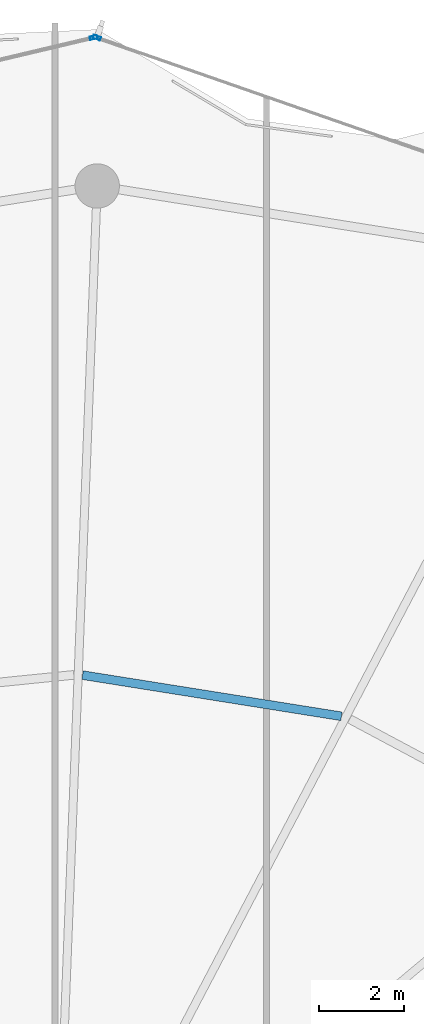
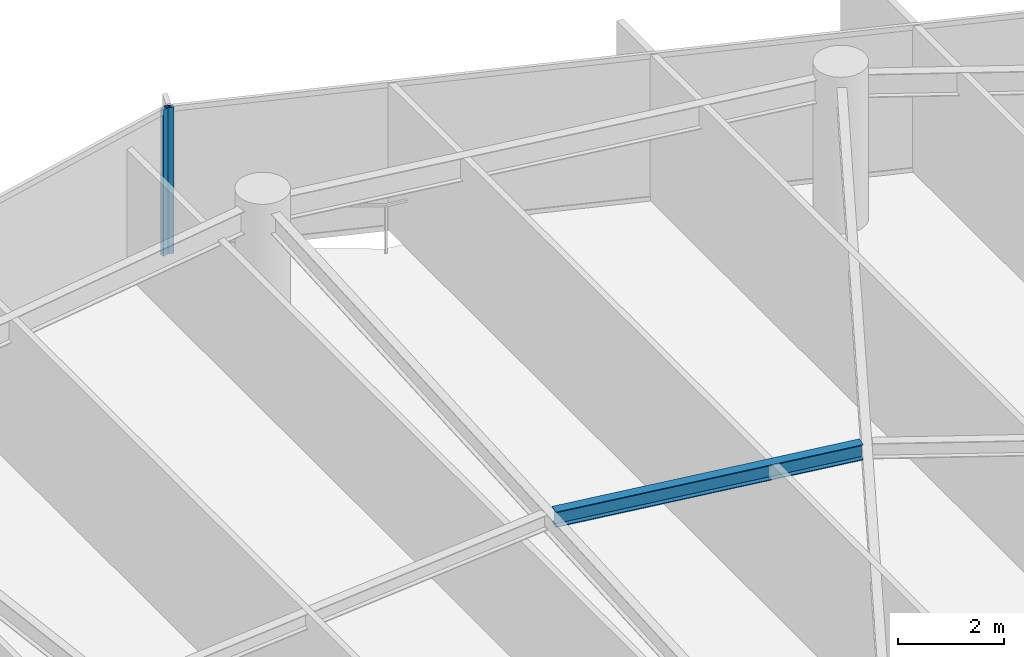
# One storey, part 19 of 28: 2 members, 1 beam, 2 elements without a shape of their own.
"""IFC4 building model written with IfcOpenShell, lengths in metres."""

from ifc_helpers import new_model, si_unit, direction, frame, origin, origin_2d, place, context, subcontext, project, spatial, hollow_rectangle, i_section, extrude, material, layer, layer_set, material_profile, profile_set, type_object, element, aggregate, save


model = new_model("IFC4")

# Units and contexts
model_context = context("Model", 3, precision=1e-05, world=origin(), true_north=direction((0.0, 1.0)))
body_context = subcontext(model_context, "Body", "Model", "MODEL_VIEW")
ifc_project = project(units=[si_unit("LENGTHUNIT", "METRE"), si_unit("AREAUNIT", "SQUARE_METRE"), si_unit("VOLUMEUNIT", "CUBIC_METRE"), si_unit("PLANEANGLEUNIT", "RADIAN"), si_unit("MASSUNIT", "GRAM", prefix="KILO")], contexts=[model_context])

# Site, building, storey
site_placement = place(None, origin())
site = spatial("IfcSite", under=ifc_project, at=site_placement, CompositionType="ELEMENT")
building_placement = place(site_placement, origin())
building = spatial("IfcBuilding", under=site, at=building_placement, Name="Kazevale Care Tower and Concert Hall", CompositionType="ELEMENT")
storey_placement = place(building_placement, frame((0.0, 0.0, 231.60009765625)))
storey = spatial("IfcBuildingStorey", under=building, at=storey_placement, Name="L61", CompositionType="ELEMENT", Elevation=231.60009765625)

# Curtain wall, member
ifc_material_1 = material(Name="Aluminium 6063-T6 and Low-E Glass", Category="aluminium")
ifc_layer_1 = layer(ifc_material_1, 0.179931640625)
ifc_layer_set_1 = layer_set([ifc_layer_1], Name="Aluminium 6063-T6 and Low-E Glass")
curtain_wall_type_1 = type_object("IfcCurtainWallType", Name="Convex Checkerboard Finned Curtain Wall CW-2", PredefinedType="NOTDEFINED", material=ifc_layer_set_1)
curtain_wall_1_placement = place(storey_placement, origin())
curtain_wall_1 = element("IfcCurtainWall", 1, at=curtain_wall_1_placement, inside=storey, type_object=curtain_wall_type_1, Name="cw:L61:f16", PredefinedType="NOTDEFINED")
ifc_material_2 = material(Name="Aluminium 6063-T6", Category="aluminium")
ifc_material_profile_1 = material_profile(ifc_material_2, hollow_rectangle(XDim=0.080078125, YDim=0.179931640625, WallThickness=0.0048828125, at=origin_2d()), Name="ALU80x180x5")
ifc_profile_set_1 = profile_set([ifc_material_profile_1], Name="Aluminium 6063-T6")
member_type_1 = type_object("IfcMemberType", Name="CW-2 Mullion ALU80x180x5", PredefinedType="MULLION", material=ifc_profile_set_1)
member_1_placement = place(storey_placement, frame((44.99169921875, 65.554931640625, 0.0), z_axis=(0.0, 0.0, 1.0), x_axis=(0.328583704497, 0.94447485363, 0.0)))
member_1 = element("IfcMember", 2, at=member_1_placement, type_object=member_type_1, Name="CW-2 mullion 1", PredefinedType="MULLION", context=body_context, shape_type="SweptSolid", body=[
    extrude(hollow_rectangle(XDim=0.080078125, YDim=0.179931640625, WallThickness=0.0048828125, at=origin_2d()), origin(), (0.0, 0.0, 1.0), 3.35986328125),
])
aggregate(curtain_wall_1, [member_1])

ifc_layer_2 = layer(ifc_material_1, 0.179931640625)
ifc_layer_set_2 = layer_set([ifc_layer_2], Name="Aluminium 6063-T6 and Low-E Glass")
curtain_wall_type_2 = type_object("IfcCurtainWallType", Name="Waist & Upper Residential Curtain Wall CW-4", PredefinedType="NOTDEFINED", material=ifc_layer_set_2)
curtain_wall_2_placement = place(storey_placement, origin())
curtain_wall_2 = element("IfcCurtainWall", 3, at=curtain_wall_2_placement, inside=storey, type_object=curtain_wall_type_2, Name="cw:L61:f15", PredefinedType="NOTDEFINED")
ifc_material_profile_2 = material_profile(ifc_material_2, hollow_rectangle(XDim=0.080078125, YDim=0.179931640625, WallThickness=0.0048828125, at=origin_2d()), Name="ALU80x180x5")
ifc_profile_set_2 = profile_set([ifc_material_profile_2], Name="Aluminium 6063-T6")
member_type_2 = type_object("IfcMemberType", Name="CW-4 Mullion ALU80x180x5", PredefinedType="MULLION", material=ifc_profile_set_2)
member_2_placement = place(storey_placement, frame((44.9150390625, 65.558837890625, 0.0), z_axis=(0.0, 0.0, 1.0), x_axis=(-0.230439111929, 0.973086746233, 0.0)))
member_2 = element("IfcMember", 4, at=member_2_placement, type_object=member_type_2, Name="CW-4 mullion 2", PredefinedType="MULLION", context=body_context, shape_type="SweptSolid", body=[
    extrude(hollow_rectangle(XDim=0.080078125, YDim=0.179931640625, WallThickness=0.0048828125, at=origin_2d()), origin(), (0.0, 0.0, 1.0), 3.35986328125),
])
aggregate(curtain_wall_2, [member_2])

# Beam
ifc_material_3 = material(Name="Steel ASTM A572 Gr 50", Category="steel")
ifc_material_profile_3 = material_profile(ifc_material_3, i_section(OverallWidth=0.205078125, OverallDepth=0.35400390625, WebThickness=0.009521484375, FlangeThickness=0.016845703125, at=origin_2d()), Name="W360x79")
ifc_profile_set_3 = profile_set([ifc_material_profile_3], Name="Steel ASTM A572 Gr 50")
beam_type = type_object("IfcBeamType", Name="Secondary Floor Joist W360x79", PredefinedType="JOIST", material=ifc_profile_set_3)
beam_placement = place(storey_placement, frame((50.77099609375, 49.51806640625, 3.182861328125), z_axis=(-0.987586560603, 0.157075731152, 0.0), x_axis=(-0.157075731152, -0.987586560603, 0.0)))
element("IfcBeam", 5, at=beam_placement, inside=storey, type_object=beam_type, Name="beam:L61:joist:04", PredefinedType="JOIST", context=body_context, shape_type="SweptSolid", body=[
    extrude(i_section(OverallWidth=0.205078125, OverallDepth=0.35400390625, WebThickness=0.009521484375, FlangeThickness=0.016845703125, at=origin_2d()), origin(), (0.0, 0.0, 1.0), 6.19384765625),
])

save(model, "model.ifc")
